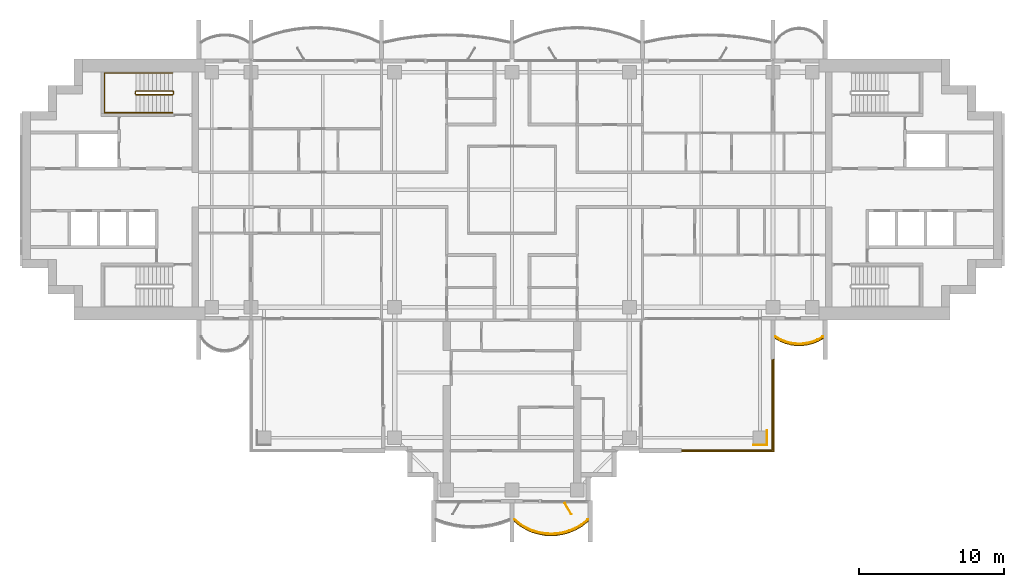
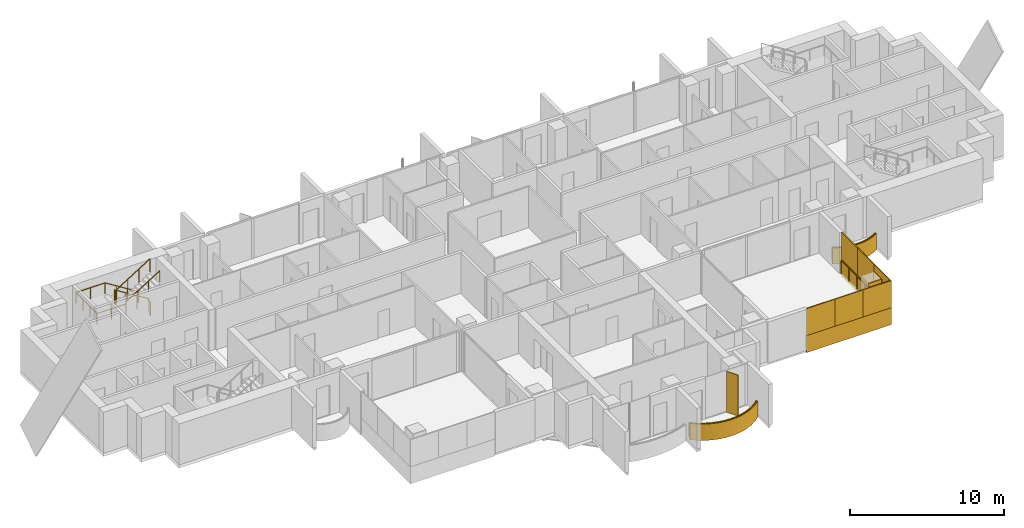
# One storey, part 15 of 17: 11 coverings, 5 railings, 1 shading device.
"""IFC4 building model written with IfcOpenShell, lengths in metres."""

import ifcopenshell
import ifcopenshell.guid

model = None  # the IFC model being written
_history = None  # IfcOwnerHistory: only IFC2X3 demands one
_inside = {}  # id of a spatial element -> (the spatial element, [elements in it])
_under = {}  # id of a project, library or spatial element -> (it, [spatial elements below it])
_declared = {}  # id of a project -> (the project, [libraries it declares])
_typed = {}  # id of a type object -> (the type object, [elements of that type])
_made_of = {}  # id of a material, layer set ... -> (it, [elements and type objects made of it])


def new_model(schema):
    """Start an empty IFC model of exactly this schema.

    Asked for "IFC4X3", IfcOpenShell would pick the latest addendum, in which some entities
    have other attributes; the version numbers below select the first issue.
    IFC2X3 requires an IfcOwnerHistory on every rooted entity: one is made here for all.
    """
    global model, _history
    if schema == "IFC4X3":
        model = ifcopenshell.file(schema_version=(4, 3, 0, 0))
    else:
        model = ifcopenshell.file(schema=schema)
    _inside.clear()
    _under.clear()
    _declared.clear()
    _typed.clear()
    _made_of.clear()
    _history = None
    if model.schema == "IFC2X3":
        org = make("IfcOrganization", Name="unknown")
        user = make(
            "IfcPersonAndOrganization",
            ThePerson=make("IfcPerson", FamilyName="unknown"),
            TheOrganization=org,
        )
        app = make(
            "IfcApplication",
            ApplicationDeveloper=org,
            Version="unknown",
            ApplicationFullName="unknown",
            ApplicationIdentifier="unknown",
        )
        _history = make(
            "IfcOwnerHistory",
            OwningUser=user,
            OwningApplication=app,
            ChangeAction="ADDED",
            CreationDate=0,
        )
    return model


def make(cls, **values):
    """One entity of the class cls with the attributes given. An attribute that is None is left unset."""
    return model.create_entity(
        cls, **{name: value for name, value in values.items() if value is not None}
    )


def rooted(cls, **values):
    """An entity with a GlobalId (a new one), such as an element, a storey or a relation."""
    return make(cls, GlobalId=ifcopenshell.guid.new(), OwnerHistory=_history, **values)


def si_unit(unit_type, name, prefix=None):
    """IfcSIUnit, for example si_unit("LENGTHUNIT", "METRE", prefix="MILLI")."""
    return make("IfcSIUnit", UnitType=unit_type, Prefix=prefix, Name=name)


def assignment(units):
    """IfcUnitAssignment: the units of a project."""
    return None if units is None else make("IfcUnitAssignment", Units=units)


def point(xyz):
    """IfcCartesianPoint."""
    return None if xyz is None else make("IfcCartesianPoint", Coordinates=xyz)


def direction(xyz):
    """IfcDirection."""
    return None if xyz is None else make("IfcDirection", DirectionRatios=xyz)


def frame(location, z_axis=None, x_axis=None):
    """IfcAxis2Placement3D, a coordinate frame: its origin and axes. An axis left out is left unset."""
    return make(
        "IfcAxis2Placement3D",
        Location=point(location),
        Axis=direction(z_axis),
        RefDirection=direction(x_axis),
    )


def frame_2d(location, x_axis=None):
    """IfcAxis2Placement2D, a coordinate frame in the plane: its origin and x axis."""
    return make(
        "IfcAxis2Placement2D", Location=point(location), RefDirection=direction(x_axis)
    )


def origin():
    """The frame at (0, 0, 0) with its axes left unset."""
    return frame((0.0, 0.0, 0.0))


def origin_2d():
    """The frame at (0, 0) in the plane with its x axis left unset."""
    return frame_2d((0.0, 0.0))


def place(relative_to, where):
    """IfcLocalPlacement: puts the frame where relative to a parent placement (None: the world)."""
    return make(
        "IfcLocalPlacement", PlacementRelTo=relative_to, RelativePlacement=where
    )


def context(
    kind, dimensions, precision=None, world=None, true_north=None, identifier=None
):
    """IfcGeometricRepresentationContext, for example the 3D "Model" context."""
    return make(
        "IfcGeometricRepresentationContext",
        ContextIdentifier=identifier,
        ContextType=kind,
        CoordinateSpaceDimension=dimensions,
        Precision=precision,
        WorldCoordinateSystem=world,
        TrueNorth=true_north,
    )


def subcontext(parent, identifier, kind, view, scale=None):
    """IfcGeometricRepresentationSubContext, for example "Body" below "Model"."""
    return make(
        "IfcGeometricRepresentationSubContext",
        ContextIdentifier=identifier,
        ContextType=kind,
        ParentContext=parent,
        TargetScale=scale,
        TargetView=view,
    )


def project(units=None, contexts=None):
    """IfcProject with its units and contexts."""
    return rooted(
        "IfcProject",
        Name="project",
        RepresentationContexts=contexts,
        UnitsInContext=assignment(units),
    )


def spatial(cls, under=None, at=None, **own):
    """A site, building, storey or space (cls), placed at a placement, below another one or the project."""
    s = rooted(cls, ObjectPlacement=at, **own)
    if under is not None:
        _under.setdefault(under.id(), (under, []))[1].append(s)
    return s


def polyline(points):
    """IfcPolyline through the points."""
    return make("IfcPolyline", Points=[point(p) for p in points])


def profile(cls, at=None, kind="AREA", **sizes):
    """A parametric profile (cls). Its sizes go by their IFC names, for example OverallWidth=200.0."""
    return make(cls, ProfileType=kind, Position=at, **sizes)


def rectangle(**sizes):
    """IfcRectangleProfileDef."""
    return profile("IfcRectangleProfileDef", **sizes)


def outline(outer, holes=None, kind="AREA"):
    """IfcArbitraryClosedProfileDef: a profile drawn as a closed curve; with holes, ...WithVoids."""
    if holes is None:
        return make("IfcArbitraryClosedProfileDef", ProfileType=kind, OuterCurve=outer)
    return make(
        "IfcArbitraryProfileDefWithVoids",
        ProfileType=kind,
        OuterCurve=outer,
        InnerCurves=holes,
    )


def extrude(swept, where, along, depth):
    """IfcExtrudedAreaSolid: the profile swept, set in the frame where, extruded along a direction by depth."""
    return make(
        "IfcExtrudedAreaSolid",
        SweptArea=swept,
        Position=where,
        ExtrudedDirection=direction(along),
        Depth=depth,
    )


def shape(context_of_items, identifier, shape_type, items):
    """IfcShapeRepresentation: the items that make up one representation, for example the "Body"."""
    return make(
        "IfcShapeRepresentation",
        ContextOfItems=context_of_items,
        RepresentationIdentifier=identifier,
        RepresentationType=shape_type,
        Items=items,
    )


def material(Name=None, Category=None):
    """IfcMaterial."""
    return make("IfcMaterial", Name=Name, Category=Category)


def layer(
    of_material, thickness, ventilated=None, Name=None, Category=None, Priority=None
):
    """IfcMaterialLayer: one layer of a wall or slab, of a material (None: an air gap)."""
    return make(
        "IfcMaterialLayer",
        Material=of_material,
        LayerThickness=thickness,
        IsVentilated=ventilated,
        Name=Name,
        Category=Category,
        Priority=Priority,
    )


def layer_set(layers, Name=None):
    """IfcMaterialLayerSet."""
    return make("IfcMaterialLayerSet", MaterialLayers=layers, LayerSetName=Name)


def made_of(thing, what):
    """Note that an element or type object is made of a material, layer set ...; save() writes the relation."""
    if what is not None:
        _made_of.setdefault(what.id(), (what, []))[1].append(thing)
    return thing


def type_object(cls, material=None, **own):
    """A type object (cls), such as IfcWallType, which elements share."""
    return made_of(rooted(cls, **own), material)


def element(
    cls,
    number,
    at=None,
    inside=None,
    cuts=None,
    type_object=None,
    material=None,
    context=None,
    identifier="Body",
    shape_type=None,
    held_by="IfcProductDefinitionShape",
    body=None,
    shapes=None,
    **own,
):
    """One element of the class cls, such as IfcWall. Its Tag is "e" and its number.

    at: its placement. inside: the storey or other place that contains it. cuts: it is an
    opening in that element (IfcRelVoidsElement). A single representation is given by context,
    identifier, shape_type and body (its items); several are given by shapes. held_by: the class
    of the entity that holds the representations. save() writes the other relations.
    """
    e = rooted(cls, Tag="e%d" % number, ObjectPlacement=at, **own)
    if body is not None:
        shapes = [shape(context, identifier, shape_type, body)]
    if shapes is not None:
        e.Representation = make(held_by, Representations=shapes)
    if inside is not None:
        _inside.setdefault(inside.id(), (inside, []))[1].append(e)
    if cuts is not None:
        rooted(
            "IfcRelVoidsElement", RelatingBuildingElement=cuts, RelatedOpeningElement=e
        )
    if type_object is not None:
        _typed.setdefault(type_object.id(), (type_object, []))[1].append(e)
    return made_of(e, material)


def aggregate(whole, parts):
    """IfcRelAggregates: a whole, such as a stair, and the parts it consists of."""
    return rooted("IfcRelAggregates", RelatingObject=whole, RelatedObjects=parts)


def save(model, path):
    """Write the relations noted so far, then the file.

    IfcRelAggregates (storeys below a building ...), IfcRelContainedInSpatialStructure (elements
    in a storey), IfcRelDefinesByType, IfcRelAssociatesMaterial and IfcRelDeclares: one each for
    every whole, place, type object, material and project.
    """
    for whole, parts in _under.values():
        aggregate(whole, parts)
    for where, things in _inside.values():
        rooted(
            "IfcRelContainedInSpatialStructure",
            RelatedElements=things,
            RelatingStructure=where,
        )
    for kind, things in _typed.values():
        rooted("IfcRelDefinesByType", RelatedObjects=things, RelatingType=kind)
    for what, things in _made_of.values():
        rooted("IfcRelAssociatesMaterial", RelatedObjects=things, RelatingMaterial=what)
    for by, libraries in _declared.values():
        rooted("IfcRelDeclares", RelatingContext=by, RelatedDefinitions=libraries)
    model.write(path)


model = new_model("IFC4")

# Units and contexts
model_context = context("Model", 3, precision=1e-05, world=origin(), true_north=direction((0.0, 1.0)))
body_context = subcontext(model_context, "Body", "Model", "MODEL_VIEW")
ifc_project = project(units=[si_unit("LENGTHUNIT", "METRE"), si_unit("AREAUNIT", "SQUARE_METRE"), si_unit("VOLUMEUNIT", "CUBIC_METRE"), si_unit("PLANEANGLEUNIT", "RADIAN"), si_unit("MASSUNIT", "GRAM", prefix="KILO")], contexts=[model_context])

# Site, building, storey
site_placement = place(None, origin())
site = spatial("IfcSite", under=ifc_project, at=site_placement, CompositionType="ELEMENT")
building_placement = place(site_placement, origin())
building = spatial("IfcBuilding", under=site, at=building_placement, Name="Perihelion Cross Residences", CompositionType="ELEMENT")
storey_placement = place(building_placement, frame((0.0, 0.0, 180.60009765625)))
storey = spatial("IfcBuildingStorey", under=building, at=storey_placement, Name="L44", CompositionType="ELEMENT", Elevation=180.60009765625)

# Coverings
ifc_material_1 = material(Name="Bronze anodised aluminium", Category="aluminium")
ifc_layer_1 = layer(ifc_material_1, 0.070068359375)
ifc_layer_set_1 = layer_set([ifc_layer_1], Name="Balcony fascia 1300")
covering_type_1 = type_object("IfcCoveringType", Name="Balcony fascia 1300", PredefinedType="CLADDING", material=ifc_layer_set_1)
covering_1_placement = place(storey_placement, frame((0.0, 0.0, -0.2001953125)))
element("IfcCovering", 1, at=covering_1_placement, inside=storey, type_object=covering_type_1, Name="Fascia BF1 L44 south tip south bay 2", PredefinedType="CLADDING", context=body_context, shape_type="SweptSolid", body=[
    extrude(outline(polyline([(0.53515625, -23.197509765625), (0.96826171875, -23.455078125), (1.401123046875, -23.642578125), (1.833984375, -23.7705078125), (2.26708984375, -23.845458984375), (2.699951171875, -23.8701171875), (3.133056640625, -23.845458984375), (3.56591796875, -23.7705078125), (3.998779296875, -23.642578125), (4.431884765625, -23.455078125), (4.86474609375, -23.197509765625), (5.25, -22.8896484375), (5.25, -22.800048828125), (4.824951171875, -23.14013671875), (4.39990234375, -23.392578125), (3.97509765625, -23.57666015625), (3.550048828125, -23.702392578125), (3.125, -23.77587890625), (2.699951171875, -23.800048828125), (2.27490234375, -23.77587890625), (1.85009765625, -23.702392578125), (1.425048828125, -23.57666015625), (1.0, -23.392578125), (0.574951171875, -23.14013671875), (0.14990234375, -22.800048828125), (0.14990234375, -22.8896484375), (0.53515625, -23.197509765625)])), origin(), (0.0, 0.0, 1.0), 1.300048828125),
])
covering_2_placement = place(storey_placement, frame((0.0, 0.0, -0.2001953125)))
element("IfcCovering", 2, at=covering_2_placement, inside=storey, type_object=covering_type_1, Name="Fascia BF1 L44 east side south bay 2", PredefinedType="CLADDING", context=body_context, shape_type="SweptSolid", body=[
    extrude(outline(polyline([(18.486328125, -10.4716796875), (18.861572265625, -10.62158203125), (19.237060546875, -10.717529296875), (19.6123046875, -10.76416015625), (19.987548828125, -10.76416015625), (20.363037109375, -10.717529296875), (20.73828125, -10.62158203125), (21.11376953125, -10.4716796875), (21.449951171875, -10.280517578125), (21.449951171875, -10.199951171875), (21.083251953125, -10.40869140625), (20.716552734375, -10.55517578125), (20.35009765625, -10.648681640625), (19.9833984375, -10.6943359375), (19.61669921875, -10.6943359375), (19.25, -10.648681640625), (18.88330078125, -10.55517578125), (18.5166015625, -10.40869140625), (18.14990234375, -10.199951171875), (18.14990234375, -10.280517578125), (18.486328125, -10.4716796875)])), origin(), (0.0, 0.0, 1.0), 1.300048828125),
])

# Railings
ifc_material_2 = material(Name="Bronze anodised aluminium", Category="aluminium")
railing_type_1 = type_object("IfcRailingType", Name="Balcony guard 1100", PredefinedType="GUARDRAIL", material=ifc_material_2)
railing_1_placement = place(storey_placement, frame((0.175048828125, -22.739990234375, 0.0)))
element("IfcRailing", 3, at=railing_1_placement, inside=storey, type_object=railing_type_1, Name="Guard GU1 L44 south tip south bay 2 balcony", PredefinedType="GUARDRAIL", context=body_context, shape_type="SweptSolid", body=[
    extrude(rectangle(XDim=0.048095703125, YDim=0.048095703125, at=origin_2d()), frame((0.0, 0.0, 1.076171875), z_axis=(0.761778647315, -0.647837396648, 0.0), x_axis=(0.647837396648, 0.761778647315, 0.0)), (0.0, 0.0, 1.0), 0.52490234375),
    extrude(rectangle(XDim=0.048095703125, YDim=0.048095703125, at=origin_2d()), frame((0.39990234375, -0.340087890625, 1.076171875), z_axis=(0.859576918062, -0.511006381501, 0.0), x_axis=(0.511006381501, 0.859576918062, 0.0)), (0.0, 0.0, 1.0), 0.494384765625),
    extrude(rectangle(XDim=0.048095703125, YDim=0.048095703125, at=origin_2d()), frame((0.824951171875, -0.5927734375, 1.076171875), z_axis=(0.917831080218, -0.396971167952, 0.0), x_axis=(0.396971167952, 0.917831080218, 0.0)), (0.0, 0.0, 1.0), 0.463134765625),
    extrude(rectangle(XDim=0.048095703125, YDim=0.048095703125, at=origin_2d()), frame((1.25, -0.776611328125, 1.076171875), z_axis=(0.958925815697, -0.283656975924, 0.0), x_axis=(0.283656975924, 0.958925815697, 0.0)), (0.0, 0.0, 1.0), 0.443359375),
    extrude(rectangle(XDim=0.048095703125, YDim=0.048095703125, at=origin_2d()), frame((1.675048828125, -0.90234375, 1.076171875), z_axis=(0.985365142702, -0.170456843651, 0.0), x_axis=(0.170456843651, 0.985365142702, 0.0)), (0.0, 0.0, 1.0), 0.43115234375),
    extrude(rectangle(XDim=0.048095703125, YDim=0.048095703125, at=origin_2d()), frame((2.099853515625, -0.975830078125, 1.076171875), z_axis=(0.998387160354, -0.056772159032, 0.0), x_axis=(0.056772159032, 0.998387160354, 0.0)), (0.0, 0.0, 1.0), 0.42578125),
    extrude(rectangle(XDim=0.048095703125, YDim=0.048095703125, at=origin_2d()), frame((2.52490234375, -1.0, 1.076171875), z_axis=(0.998387160354, 0.056772159032, 0.0), x_axis=(-0.056772159032, 0.998387160354, 0.0)), (0.0, 0.0, 1.0), 0.42578125),
    extrude(rectangle(XDim=0.048095703125, YDim=0.048095703125, at=origin_2d()), frame((2.949951171875, -0.975830078125, 1.076171875), z_axis=(0.985381583142, 0.17036177859, 0.0), x_axis=(-0.17036177859, 0.985381583142, 0.0)), (0.0, 0.0, 1.0), 0.431396484375),
    extrude(rectangle(XDim=0.048095703125, YDim=0.048095703125, at=origin_2d()), frame((3.375, -0.90234375, 1.076171875), z_axis=(0.958925815697, 0.283656975924, 0.0), x_axis=(-0.283656975924, 0.958925815697, 0.0)), (0.0, 0.0, 1.0), 0.443359375),
    extrude(rectangle(XDim=0.048095703125, YDim=0.048095703125, at=origin_2d()), frame((3.800048828125, -0.776611328125, 1.076171875), z_axis=(0.917747942671, 0.397163333811, 0.0), x_axis=(-0.397163333811, 0.917747942671, 0.0)), (0.0, 0.0, 1.0), 0.462890625),
    extrude(rectangle(XDim=0.048095703125, YDim=0.048095703125, at=origin_2d()), frame((4.224853515625, -0.5927734375, 1.076171875), z_axis=(0.859576918062, 0.511006381501, 0.0), x_axis=(-0.511006381501, 0.859576918062, 0.0)), (0.0, 0.0, 1.0), 0.494384765625),
    extrude(rectangle(XDim=0.048095703125, YDim=0.048095703125, at=origin_2d()), frame((4.64990234375, -0.340087890625, 1.076171875), z_axis=(0.761973728849, 0.647607934281, 0.0), x_axis=(-0.647607934281, 0.761973728849, 0.0)), (0.0, 0.0, 1.0), 0.525146484375),
    extrude(rectangle(XDim=0.0419921875, YDim=0.0419921875, at=origin_2d()), origin(), (0.0, 0.0, 1.0), 1.052001953125),
    extrude(rectangle(XDim=0.0419921875, YDim=0.0419921875, at=origin_2d()), frame((0.39990234375, -0.340087890625, 0.0)), (0.0, 0.0, 1.0), 1.052001953125),
    extrude(rectangle(XDim=0.0419921875, YDim=0.0419921875, at=origin_2d()), frame((0.824951171875, -0.5927734375, 0.0)), (0.0, 0.0, 1.0), 1.052001953125),
    extrude(rectangle(XDim=0.0419921875, YDim=0.0419921875, at=origin_2d()), frame((1.25, -0.776611328125, 0.0)), (0.0, 0.0, 1.0), 1.052001953125),
    extrude(rectangle(XDim=0.0419921875, YDim=0.0419921875, at=origin_2d()), frame((1.675048828125, -0.90234375, 0.0)), (0.0, 0.0, 1.0), 1.052001953125),
    extrude(rectangle(XDim=0.0419921875, YDim=0.0419921875, at=origin_2d()), frame((2.099853515625, -0.975830078125, 0.0)), (0.0, 0.0, 1.0), 1.052001953125),
    extrude(rectangle(XDim=0.0419921875, YDim=0.0419921875, at=origin_2d()), frame((2.52490234375, -1.0, 0.0)), (0.0, 0.0, 1.0), 1.052001953125),
    extrude(rectangle(XDim=0.0419921875, YDim=0.0419921875, at=origin_2d()), frame((2.949951171875, -0.975830078125, 0.0)), (0.0, 0.0, 1.0), 1.052001953125),
    extrude(rectangle(XDim=0.0419921875, YDim=0.0419921875, at=origin_2d()), frame((3.375, -0.90234375, 0.0)), (0.0, 0.0, 1.0), 1.052001953125),
    extrude(rectangle(XDim=0.0419921875, YDim=0.0419921875, at=origin_2d()), frame((3.800048828125, -0.776611328125, 0.0)), (0.0, 0.0, 1.0), 1.052001953125),
    extrude(rectangle(XDim=0.0419921875, YDim=0.0419921875, at=origin_2d()), frame((4.224853515625, -0.5927734375, 0.0)), (0.0, 0.0, 1.0), 1.052001953125),
    extrude(rectangle(XDim=0.0419921875, YDim=0.0419921875, at=origin_2d()), frame((4.64990234375, -0.340087890625, 0.0)), (0.0, 0.0, 1.0), 1.052001953125),
    extrude(rectangle(XDim=0.0419921875, YDim=0.0419921875, at=origin_2d()), frame((5.050048828125, 0.0, 0.0)), (0.0, 0.0, 1.0), 1.052001953125),
])
railing_2_placement = place(storey_placement, frame((18.175048828125, -10.139892578125, 0.0)))
element("IfcRailing", 4, at=railing_2_placement, inside=storey, type_object=railing_type_1, Name="Guard GU1 L44 east side south bay 2 balcony", PredefinedType="GUARDRAIL", context=body_context, shape_type="SweptSolid", body=[
    extrude(rectangle(XDim=0.048095703125, YDim=0.048095703125, at=origin_2d()), frame((0.0, 0.0, 1.076171875), z_axis=(0.853266756821, -0.52147467983, 0.0), x_axis=(0.52147467983, 0.853266756821, 0.0)), (0.0, 0.0, 1.0), 0.400390625),
    extrude(rectangle(XDim=0.048095703125, YDim=0.048095703125, at=origin_2d()), frame((0.341552734375, -0.208740234375, 1.076171875), z_axis=(0.928647151248, -0.37096424151, 0.0), x_axis=(0.37096424151, 0.928647151248, 0.0)), (0.0, 0.0, 1.0), 0.394775390625),
    extrude(rectangle(XDim=0.048095703125, YDim=0.048095703125, at=origin_2d()), frame((0.708251953125, -0.355224609375, 1.076171875), z_axis=(0.968993337782, -0.247086849781, 0.0), x_axis=(0.247086849781, 0.968993337782, 0.0)), (0.0, 0.0, 1.0), 0.37841796875),
    extrude(rectangle(XDim=0.048095703125, YDim=0.048095703125, at=origin_2d()), frame((1.074951171875, -0.44873046875, 1.076171875), z_axis=(0.992338742457, -0.123546834114, 0.0), x_axis=(0.123546834114, 0.992338742457, 0.0)), (0.0, 0.0, 1.0), 0.36962890625),
    extrude(rectangle(XDim=0.048095703125, YDim=0.048095703125, at=origin_2d()), frame((1.441650390625, -0.494384765625, 1.076171875), z_axis=(1.0, 0.0, 0.0), x_axis=(0.0, 1.0, 0.0)), (0.0, 0.0, 1.0), 0.36669921875),
    extrude(rectangle(XDim=0.048095703125, YDim=0.048095703125, at=origin_2d()), frame((1.808349609375, -0.494384765625, 1.076171875), z_axis=(0.992338742457, 0.123546834114, 0.0), x_axis=(-0.123546834114, 0.992338742457, 0.0)), (0.0, 0.0, 1.0), 0.36962890625),
    extrude(rectangle(XDim=0.048095703125, YDim=0.048095703125, at=origin_2d()), frame((2.175048828125, -0.44873046875, 1.076171875), z_axis=(0.968953914071, 0.247241405123, 0.0), x_axis=(-0.247241405123, 0.968953914071, 0.0)), (0.0, 0.0, 1.0), 0.378173828125),
    extrude(rectangle(XDim=0.048095703125, YDim=0.048095703125, at=origin_2d()), frame((2.54150390625, -0.355224609375, 1.076171875), z_axis=(0.928647151248, 0.37096424151, 0.0), x_axis=(-0.37096424151, 0.928647151248, 0.0)), (0.0, 0.0, 1.0), 0.394775390625),
    extrude(rectangle(XDim=0.048095703125, YDim=0.048095703125, at=origin_2d()), frame((2.908203125, -0.208740234375, 1.076171875), z_axis=(0.853432484338, 0.521203410078, 0.0), x_axis=(-0.521203410078, 0.853432484338, 0.0)), (0.0, 0.0, 1.0), 0.400390625),
    extrude(rectangle(XDim=0.0419921875, YDim=0.0419921875, at=origin_2d()), origin(), (0.0, 0.0, 1.0), 1.052001953125),
    extrude(rectangle(XDim=0.0419921875, YDim=0.0419921875, at=origin_2d()), frame((0.341552734375, -0.208740234375, 0.0)), (0.0, 0.0, 1.0), 1.052001953125),
    extrude(rectangle(XDim=0.0419921875, YDim=0.0419921875, at=origin_2d()), frame((0.708251953125, -0.355224609375, 0.0)), (0.0, 0.0, 1.0), 1.052001953125),
    extrude(rectangle(XDim=0.0419921875, YDim=0.0419921875, at=origin_2d()), frame((1.074951171875, -0.44873046875, 0.0)), (0.0, 0.0, 1.0), 1.052001953125),
    extrude(rectangle(XDim=0.0419921875, YDim=0.0419921875, at=origin_2d()), frame((1.441650390625, -0.494384765625, 0.0)), (0.0, 0.0, 1.0), 1.052001953125),
    extrude(rectangle(XDim=0.0419921875, YDim=0.0419921875, at=origin_2d()), frame((1.808349609375, -0.494384765625, 0.0)), (0.0, 0.0, 1.0), 1.052001953125),
    extrude(rectangle(XDim=0.0419921875, YDim=0.0419921875, at=origin_2d()), frame((2.175048828125, -0.44873046875, 0.0)), (0.0, 0.0, 1.0), 1.052001953125),
    extrude(rectangle(XDim=0.0419921875, YDim=0.0419921875, at=origin_2d()), frame((2.54150390625, -0.355224609375, 0.0)), (0.0, 0.0, 1.0), 1.052001953125),
    extrude(rectangle(XDim=0.0419921875, YDim=0.0419921875, at=origin_2d()), frame((2.908203125, -0.208740234375, 0.0)), (0.0, 0.0, 1.0), 1.052001953125),
    extrude(rectangle(XDim=0.0419921875, YDim=0.0419921875, at=origin_2d()), frame((3.25, 0.0, 0.0)), (0.0, 0.0, 1.0), 1.052001953125),
])
railing_3_placement = place(storey_placement, frame((17.93994140625, -11.739990234375, 0.0)))
element("IfcRailing", 5, at=railing_3_placement, inside=storey, type_object=railing_type_1, Name="Guard GU1 L44 pocket south-east 1", PredefinedType="GUARDRAIL", context=body_context, shape_type="SweptSolid", body=[
    extrude(rectangle(XDim=0.048095703125, YDim=0.048095703125, at=origin_2d()), frame((0.0, 0.0, 1.076171875), z_axis=(0.0, -1.0, 0.0), x_axis=(1.0, 0.0, 0.0)), (0.0, 0.0, 1.0), 6.199951171875),
    extrude(rectangle(XDim=0.048095703125, YDim=0.048095703125, at=origin_2d()), frame((0.0, -6.199951171875, 1.076171875), z_axis=(-1.0, 0.0, 0.0), x_axis=(0.0, -1.0, 0.0)), (0.0, 0.0, 1.0), 6.199951171875),
    extrude(rectangle(XDim=0.0419921875, YDim=0.0419921875, at=origin_2d()), origin(), (0.0, 0.0, 1.0), 1.052001953125),
    extrude(rectangle(XDim=0.0419921875, YDim=0.0419921875, at=origin_2d()), frame((0.0, -1.033203125, 0.0)), (0.0, 0.0, 1.0), 1.052001953125),
    extrude(rectangle(XDim=0.0419921875, YDim=0.0419921875, at=origin_2d()), frame((0.0, -2.066650390625, 0.0)), (0.0, 0.0, 1.0), 1.052001953125),
    extrude(rectangle(XDim=0.0419921875, YDim=0.0419921875, at=origin_2d()), frame((0.0, -3.10009765625, 0.0)), (0.0, 0.0, 1.0), 1.052001953125),
    extrude(rectangle(XDim=0.0419921875, YDim=0.0419921875, at=origin_2d()), frame((0.0, -4.13330078125, 0.0)), (0.0, 0.0, 1.0), 1.052001953125),
    extrude(rectangle(XDim=0.0419921875, YDim=0.0419921875, at=origin_2d()), frame((0.0, -5.16650390625, 0.0)), (0.0, 0.0, 1.0), 1.052001953125),
    extrude(rectangle(XDim=0.0419921875, YDim=0.0419921875, at=origin_2d()), frame((0.0, -6.199951171875, 0.0)), (0.0, 0.0, 1.0), 1.052001953125),
    extrude(rectangle(XDim=0.0419921875, YDim=0.0419921875, at=origin_2d()), frame((-1.033203125, -6.199951171875, 0.0)), (0.0, 0.0, 1.0), 1.052001953125),
    extrude(rectangle(XDim=0.0419921875, YDim=0.0419921875, at=origin_2d()), frame((-2.066650390625, -6.199951171875, 0.0)), (0.0, 0.0, 1.0), 1.052001953125),
    extrude(rectangle(XDim=0.0419921875, YDim=0.0419921875, at=origin_2d()), frame((-3.10009765625, -6.199951171875, 0.0)), (0.0, 0.0, 1.0), 1.052001953125),
    extrude(rectangle(XDim=0.0419921875, YDim=0.0419921875, at=origin_2d()), frame((-4.13330078125, -6.199951171875, 0.0)), (0.0, 0.0, 1.0), 1.052001953125),
    extrude(rectangle(XDim=0.0419921875, YDim=0.0419921875, at=origin_2d()), frame((-5.16650390625, -6.199951171875, 0.0)), (0.0, 0.0, 1.0), 1.052001953125),
    extrude(rectangle(XDim=0.0419921875, YDim=0.0419921875, at=origin_2d()), frame((-6.199951171875, -6.199951171875, 0.0)), (0.0, 0.0, 1.0), 1.052001953125),
])

# Coverings
ifc_material_3 = material(Name="Bronze anodised aluminium", Category="aluminium")
ifc_layer_2 = layer(ifc_material_3, 0.0400390625)
ifc_layer_set_2 = layer_set([ifc_layer_2], Name="Bronze column casing 40")
covering_type_2 = type_object("IfcCoveringType", Name="Bronze column casing 40", PredefinedType="CLADDING", material=ifc_layer_set_2)
covering_3_placement = place(storey_placement, frame((17.594970703125, -17.10009765625, -0.25), z_axis=(0.0, 0.0, 1.0), x_axis=(1.0, 0.0, 0.0)))
element("IfcCovering", 6, at=covering_3_placement, inside=storey, type_object=covering_type_2, Name="Cladding CC1 L44 casing east-west no. 2", PredefinedType="CLADDING", context=body_context, shape_type="SweptSolid", body=[
    extrude(rectangle(XDim=0.0400390625, YDim=1.030029296875, at=origin_2d()), origin(), (0.0, 0.0, 1.0), 3.5),
])
covering_4_placement = place(storey_placement, frame((17.10009765625, -17.594970703125, -0.25), z_axis=(0.0, 0.0, 1.0), x_axis=(1.0, 0.0, 0.0)))
element("IfcCovering", 7, at=covering_4_placement, inside=storey, type_object=covering_type_2, Name="Cladding CC1 L44 casing north-south no. 2", PredefinedType="CLADDING", context=body_context, shape_type="SweptSolid", body=[
    extrude(rectangle(XDim=0.949951171875, YDim=0.0400390625, at=origin_2d()), origin(), (0.0, 0.0, 1.0), 3.5),
])

# Shading device
ifc_material_4 = material(Name="Bronze anodised aluminium", Category="aluminium")
ifc_layer_3 = layer(ifc_material_4, 0.050048828125)
ifc_layer_set_3 = layer_set([ifc_layer_3], Name="Bronze fin 900")
shading_device_type = type_object("IfcShadingDeviceType", Name="Bronze fin 900", PredefinedType="USERDEFINED", material=ifc_layer_set_3)
shading_device_placement = place(storey_placement, frame((3.862548828125, -21.98974609375, 0.0), z_axis=(0.0, 0.0, 1.0), x_axis=(0.5, -0.866025403784, 0.0)))
element("IfcShadingDevice", 8, at=shading_device_placement, inside=storey, type_object=shading_device_type, Name="Fin FN1 L44 south tip south bay 2", ObjectType="FIN", PredefinedType="USERDEFINED", context=body_context, shape_type="SweptSolid", body=[
    extrude(rectangle(XDim=0.89990234375, YDim=0.050048828125, at=origin_2d()), origin(), (0.0, 0.0, 1.0), 3.25),
])

# Coverings
ifc_material_5 = material(Name="Bronze anodised aluminium", Category="aluminium")
ifc_layer_4 = layer(ifc_material_5, 0.070068359375)
ifc_layer_set_4 = layer_set([ifc_layer_4], Name="Pocket fascia 1350")
covering_type_3 = type_object("IfcCoveringType", Name="Pocket fascia 1350", PredefinedType="CLADDING", material=ifc_layer_set_4)
covering_5_placement = place(storey_placement, frame((0.0, 0.0, -0.25)))
element("IfcCovering", 9, at=covering_5_placement, inside=storey, type_object=covering_type_3, Name="Fascia BF2 L44 pocket south-east 3", PredefinedType="CLADDING", context=body_context, shape_type="SweptSolid", body=[
    extrude(outline(polyline([(18.070068359375, -18.070068359375), (18.070068359375, -11.699951171875), (18.0, -11.699951171875), (18.0, -18.0), (11.699951171875, -18.0), (11.699951171875, -18.070068359375), (18.070068359375, -18.070068359375)])), origin(), (0.0, 0.0, 1.0), 1.349853515625),
])
ifc_material_6 = material(Name="Bronze perforated aluminium", Category="aluminium")
ifc_layer_5 = layer(ifc_material_6, 0.070068359375)
ifc_layer_set_5 = layer_set([ifc_layer_5], Name="Pocket solar screen, bronze perforated")
covering_type_4 = type_object("IfcCoveringType", Name="Pocket solar screen, bronze perforated", PredefinedType="CLADDING", material=ifc_layer_set_5)
covering_6_placement = place(storey_placement, frame((0.0, 0.0, 1.099853515625)))
element("IfcCovering", 10, at=covering_6_placement, inside=storey, type_object=covering_type_4, Name="Solar screen PS1 L44 pocket south-east no. 1", PredefinedType="CLADDING", context=body_context, shape_type="SweptSolid", body=[
    extrude(outline(polyline([(18.070068359375, -18.0), (18.070068359375, -15.89990234375), (18.0, -15.89990234375), (18.0, -18.0), (18.070068359375, -18.0)])), origin(), (0.0, 0.0, 1.0), 2.150146484375),
])
covering_7_placement = place(storey_placement, frame((0.0, 0.0, 1.099853515625)))
element("IfcCovering", 11, at=covering_7_placement, inside=storey, type_object=covering_type_4, Name="Solar screen PS1 L44 pocket south-east no. 2", PredefinedType="CLADDING", context=body_context, shape_type="SweptSolid", body=[
    extrude(outline(polyline([(18.070068359375, -15.89990234375), (18.070068359375, -13.800048828125), (18.0, -13.800048828125), (18.0, -15.89990234375), (18.070068359375, -15.89990234375)])), origin(), (0.0, 0.0, 1.0), 2.150146484375),
])
covering_8_placement = place(storey_placement, frame((0.0, 0.0, 1.099853515625)))
element("IfcCovering", 12, at=covering_8_placement, inside=storey, type_object=covering_type_4, Name="Solar screen PS1 L44 pocket south-east no. 3", PredefinedType="CLADDING", context=body_context, shape_type="SweptSolid", body=[
    extrude(outline(polyline([(18.070068359375, -13.800048828125), (18.070068359375, -11.699951171875), (18.0, -11.699951171875), (18.0, -13.800048828125), (18.070068359375, -13.800048828125)])), origin(), (0.0, 0.0, 1.0), 2.150146484375),
])
covering_9_placement = place(storey_placement, frame((0.0, 0.0, 1.099853515625)))
element("IfcCovering", 13, at=covering_9_placement, inside=storey, type_object=covering_type_4, Name="Solar screen PS1 L44 pocket south-east no. 4", PredefinedType="CLADDING", context=body_context, shape_type="SweptSolid", body=[
    extrude(outline(polyline([(13.8232421875, -18.070068359375), (13.8232421875, -18.0), (11.699951171875, -18.0), (11.699951171875, -18.070068359375), (13.8232421875, -18.070068359375)])), origin(), (0.0, 0.0, 1.0), 2.150146484375),
])
covering_10_placement = place(storey_placement, frame((0.0, 0.0, 1.099853515625)))
element("IfcCovering", 14, at=covering_10_placement, inside=storey, type_object=covering_type_4, Name="Solar screen PS1 L44 pocket south-east no. 5", PredefinedType="CLADDING", context=body_context, shape_type="SweptSolid", body=[
    extrude(outline(polyline([(15.94677734375, -18.070068359375), (15.94677734375, -18.0), (13.8232421875, -18.0), (13.8232421875, -18.070068359375), (15.94677734375, -18.070068359375)])), origin(), (0.0, 0.0, 1.0), 2.150146484375),
])
covering_11_placement = place(storey_placement, frame((0.0, 0.0, 1.099853515625)))
element("IfcCovering", 15, at=covering_11_placement, inside=storey, type_object=covering_type_4, Name="Solar screen PS1 L44 pocket south-east no. 6", PredefinedType="CLADDING", context=body_context, shape_type="SweptSolid", body=[
    extrude(outline(polyline([(18.070068359375, -18.070068359375), (18.070068359375, -18.0), (15.94677734375, -18.0), (15.94677734375, -18.070068359375), (18.070068359375, -18.070068359375)])), origin(), (0.0, 0.0, 1.0), 2.150146484375),
])

# Railings
ifc_material_7 = material(Name="Stainless steel", Category="steel")
railing_type_2 = type_object("IfcRailingType", Name="Stair guard 1100", PredefinedType="GUARDRAIL", material=ifc_material_7)
railing_4_placement = place(storey_placement, frame((-23.35009765625, 6.60009765625, 0.0)))
element("IfcRailing", 16, at=railing_4_placement, inside=storey, type_object=railing_type_2, Name="L44 ST-W1 stair guard 1", PredefinedType="GUARDRAIL", context=body_context, shape_type="SweptSolid", body=[
    extrude(rectangle(XDim=0.048095703125, YDim=0.048095703125, at=origin_2d()), frame((0.0, 0.0, 1.076171875), z_axis=(0.0, 1.0, 0.0), x_axis=(-1.0, 0.0, 0.0)), (0.0, 0.0, 1.0), 0.14990234375),
    extrude(rectangle(XDim=0.048095703125, YDim=0.048095703125, at=origin_2d()), frame((0.0, 0.14990234375, 1.076171875), z_axis=(-0.264179342666, 0.265474339444, 0.927217692888), x_axis=(-0.708833529934, -0.705375805398, 0.0)), (0.0, 0.0, 1.0), 0.1884765625),
    extrude(rectangle(XDim=0.048095703125, YDim=0.048095703125, at=origin_2d()), frame((-0.0498046875, 0.199951171875, 1.2509765625), z_axis=(-0.847970611238, 0.0, 0.530043245855), x_axis=(0.0, -1.0, 0.0)), (0.0, 0.0, 1.0), 2.971923828125),
    extrude(rectangle(XDim=0.048095703125, YDim=0.048095703125, at=origin_2d()), frame((-2.56982421875, 0.199951171875, 2.826171875), z_axis=(-0.707106781187, -0.707106781187, 0.0), x_axis=(0.707106781187, -0.707106781187, 0.0)), (0.0, 0.0, 1.0), 0.07080078125),
    extrude(rectangle(XDim=0.048095703125, YDim=0.048095703125, at=origin_2d()), frame((-2.619873046875, 0.14990234375, 2.826171875), z_axis=(0.0, -1.0, 0.0), x_axis=(1.0, 0.0, 0.0)), (0.0, 0.0, 1.0), 0.14990234375),
    extrude(rectangle(XDim=0.048095703125, YDim=0.048095703125, at=origin_2d()), frame((-2.619873046875, 0.0, 2.826171875), z_axis=(0.265383341853, -0.265383341853, 0.926899867156), x_axis=(0.707106781187, 0.707106781187, 0.0)), (0.0, 0.0, 1.0), 0.1884765625),
    extrude(rectangle(XDim=0.048095703125, YDim=0.048095703125, at=origin_2d()), frame((-2.56982421875, -0.050048828125, 3.0009765625), z_axis=(0.847970611238, 0.0, 0.530043245855), x_axis=(0.0, 1.0, 0.0)), (0.0, 0.0, 1.0), 2.971923828125),
    extrude(rectangle(XDim=0.0419921875, YDim=0.0419921875, at=origin_2d()), origin(), (0.0, 0.0, 1.0), 1.052001953125),
    extrude(rectangle(XDim=0.0419921875, YDim=0.0419921875, at=origin_2d()), frame((0.0, 0.14990234375, 0.0)), (0.0, 0.0, 1.0), 1.052001953125),
    extrude(rectangle(XDim=0.0419921875, YDim=0.0419921875, at=origin_2d()), frame((-0.0498046875, 0.199951171875, 0.1748046875)), (0.0, 0.0, 1.0), 1.052001953125),
    extrude(rectangle(XDim=0.0419921875, YDim=0.0419921875, at=origin_2d()), frame((-0.889892578125, 0.199951171875, 0.699951171875)), (0.0, 0.0, 1.0), 1.052001953125),
    extrude(rectangle(XDim=0.0419921875, YDim=0.0419921875, at=origin_2d()), frame((-1.729736328125, 0.199951171875, 1.224853515625)), (0.0, 0.0, 1.0), 1.052001953125),
    extrude(rectangle(XDim=0.0419921875, YDim=0.0419921875, at=origin_2d()), frame((-2.56982421875, 0.199951171875, 1.75)), (0.0, 0.0, 1.0), 1.052001953125),
    extrude(rectangle(XDim=0.0419921875, YDim=0.0419921875, at=origin_2d()), frame((-2.619873046875, 0.14990234375, 1.75)), (0.0, 0.0, 1.0), 1.052001953125),
    extrude(rectangle(XDim=0.0419921875, YDim=0.0419921875, at=origin_2d()), frame((-2.619873046875, 0.0, 1.75)), (0.0, 0.0, 1.0), 1.052001953125),
    extrude(rectangle(XDim=0.0419921875, YDim=0.0419921875, at=origin_2d()), frame((-2.56982421875, -0.050048828125, 1.9248046875)), (0.0, 0.0, 1.0), 1.052001953125),
    extrude(rectangle(XDim=0.0419921875, YDim=0.0419921875, at=origin_2d()), frame((-1.729736328125, -0.050048828125, 2.449951171875)), (0.0, 0.0, 1.0), 1.052001953125),
    extrude(rectangle(XDim=0.0419921875, YDim=0.0419921875, at=origin_2d()), frame((-0.889892578125, -0.050048828125, 2.974853515625)), (0.0, 0.0, 1.0), 1.052001953125),
    extrude(rectangle(XDim=0.0419921875, YDim=0.0419921875, at=origin_2d()), frame((-0.0498046875, -0.050048828125, 3.5)), (0.0, 0.0, 1.0), 1.052001953125),
])
ifc_material_8 = material(Name="Stainless steel", Category="steel")
railing_type_3 = type_object("IfcRailingType", Name="Stair handrail 900", PredefinedType="HANDRAIL", material=ifc_material_8)
railing_5_placement = place(storey_placement, frame((-23.39990234375, 8.050048828125, 0.1748046875)))
element("IfcRailing", 17, at=railing_5_placement, inside=storey, type_object=railing_type_3, Name="L44 ST-W1 stair handrail 1", PredefinedType="HANDRAIL", context=body_context, shape_type="SweptSolid", body=[
    extrude(rectangle(XDim=0.048095703125, YDim=0.048095703125, at=origin_2d()), frame((0.0, 0.0, 0.8759765625), z_axis=(-0.847970611238, 0.0, 0.530043245855), x_axis=(0.0, -1.0, 0.0)), (0.0, 0.0, 1.0), 2.971923828125),
    extrude(rectangle(XDim=0.048095703125, YDim=0.048095703125, at=origin_2d()), frame((-2.52001953125, 0.0, 2.451171875), z_axis=(-1.0, 0.0, 0.0), x_axis=(0.0, -1.0, 0.0)), (0.0, 0.0, 1.0), 2.18017578125),
    extrude(rectangle(XDim=0.048095703125, YDim=0.048095703125, at=origin_2d()), frame((-4.7001953125, 0.0, 2.451171875), z_axis=(0.0, -1.0, 0.0), x_axis=(1.0, 0.0, 0.0)), (0.0, 0.0, 1.0), 2.75),
    extrude(rectangle(XDim=0.048095703125, YDim=0.048095703125, at=origin_2d()), frame((-4.7001953125, -2.75, 2.451171875), z_axis=(1.0, 0.0, 0.0), x_axis=(0.0, 1.0, 0.0)), (0.0, 0.0, 1.0), 2.18017578125),
    extrude(rectangle(XDim=0.048095703125, YDim=0.048095703125, at=origin_2d()), frame((-2.52001953125, -2.75, 2.451171875), z_axis=(0.0, 0.0, 1.0), x_axis=(1.0, 0.0, 0.0)), (0.0, 0.0, 1.0), 0.1748046875),
    extrude(rectangle(XDim=0.048095703125, YDim=0.048095703125, at=origin_2d()), frame((-2.52001953125, -2.75, 2.6259765625), z_axis=(0.847970611238, 0.0, 0.530043245855), x_axis=(0.0, 1.0, 0.0)), (0.0, 0.0, 1.0), 2.971923828125),
    extrude(rectangle(XDim=0.0419921875, YDim=0.0419921875, at=origin_2d()), origin(), (0.0, 0.0, 1.0), 0.851806640625),
    extrude(rectangle(XDim=0.0419921875, YDim=0.0419921875, at=origin_2d()), frame((-0.840087890625, 0.0, 0.525146484375)), (0.0, 0.0, 1.0), 0.851806640625),
    extrude(rectangle(XDim=0.0419921875, YDim=0.0419921875, at=origin_2d()), frame((-1.679931640625, 0.0, 1.050048828125)), (0.0, 0.0, 1.0), 0.851806640625),
    extrude(rectangle(XDim=0.0419921875, YDim=0.0419921875, at=origin_2d()), frame((-2.52001953125, 0.0, 1.5751953125)), (0.0, 0.0, 1.0), 0.851806640625),
    extrude(rectangle(XDim=0.0419921875, YDim=0.0419921875, at=origin_2d()), frame((-3.610107421875, 0.0, 1.5751953125)), (0.0, 0.0, 1.0), 0.851806640625),
    extrude(rectangle(XDim=0.0419921875, YDim=0.0419921875, at=origin_2d()), frame((-4.7001953125, 0.0, 1.5751953125)), (0.0, 0.0, 1.0), 0.851806640625),
    extrude(rectangle(XDim=0.0419921875, YDim=0.0419921875, at=origin_2d()), frame((-4.7001953125, -0.916748046875, 1.5751953125)), (0.0, 0.0, 1.0), 0.851806640625),
    extrude(rectangle(XDim=0.0419921875, YDim=0.0419921875, at=origin_2d()), frame((-4.7001953125, -1.833251953125, 1.5751953125)), (0.0, 0.0, 1.0), 0.851806640625),
    extrude(rectangle(XDim=0.0419921875, YDim=0.0419921875, at=origin_2d()), frame((-4.7001953125, -2.75, 1.5751953125)), (0.0, 0.0, 1.0), 0.851806640625),
    extrude(rectangle(XDim=0.0419921875, YDim=0.0419921875, at=origin_2d()), frame((-3.610107421875, -2.75, 1.5751953125)), (0.0, 0.0, 1.0), 0.851806640625),
    extrude(rectangle(XDim=0.0419921875, YDim=0.0419921875, at=origin_2d()), frame((-2.52001953125, -2.75, 1.5751953125)), (0.0, 0.0, 1.0), 0.851806640625),
    extrude(rectangle(XDim=0.0419921875, YDim=0.0419921875, at=origin_2d()), frame((-2.52001953125, -2.75, 1.75)), (0.0, 0.0, 1.0), 0.851806640625),
    extrude(rectangle(XDim=0.0419921875, YDim=0.0419921875, at=origin_2d()), frame((-1.679931640625, -2.75, 2.275146484375)), (0.0, 0.0, 1.0), 0.851806640625),
    extrude(rectangle(XDim=0.0419921875, YDim=0.0419921875, at=origin_2d()), frame((-0.840087890625, -2.75, 2.800048828125)), (0.0, 0.0, 1.0), 0.851806640625),
    extrude(rectangle(XDim=0.0419921875, YDim=0.0419921875, at=origin_2d()), frame((0.0, -2.75, 3.3251953125)), (0.0, 0.0, 1.0), 0.851806640625),
])

save(model, "model.ifc")
